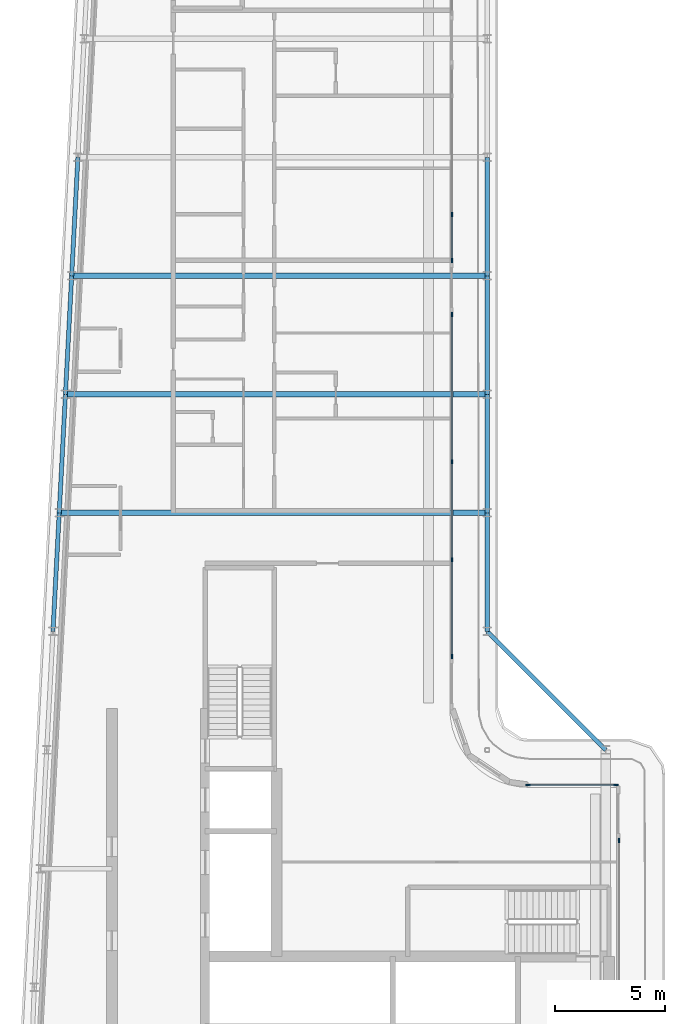
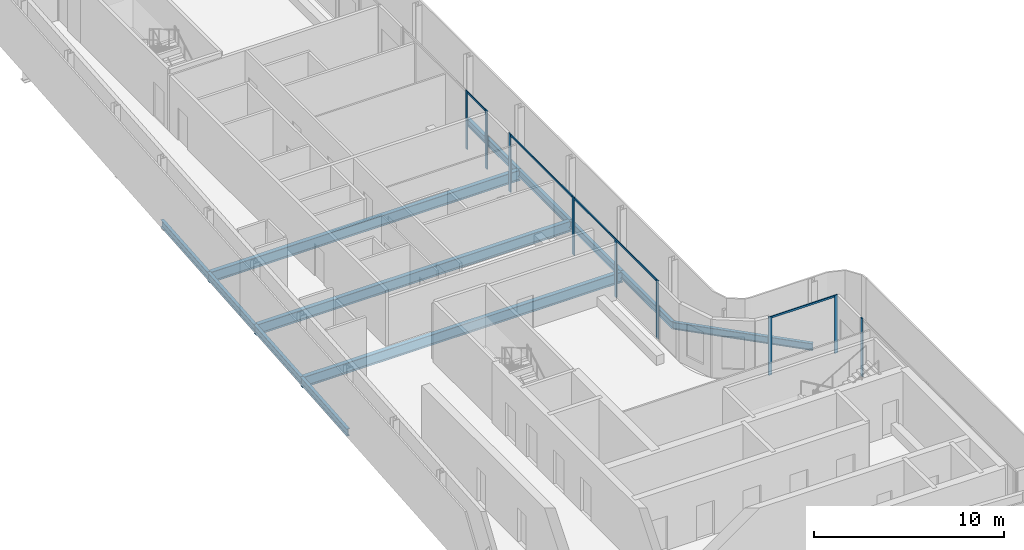
# One storey, part 5 of 19: 13 members, 12 beams, 6 elements without a shape of their own.
"""IFC4 building model written with IfcOpenShell, lengths in metres."""

from ifc_helpers import new_model, si_unit, direction, frame, origin, origin_2d, place, context, subcontext, project, spatial, rectangle, i_section, extrude, material, layer, layer_set, material_profile, profile_set, type_object, element, aggregate, save


model = new_model("IFC4")

# Units and contexts
model_context = context("Model", 3, precision=1e-05, world=origin(), true_north=direction((0.0, 1.0)))
body_context = subcontext(model_context, "Body", "Model", "MODEL_VIEW")
ifc_project = project(units=[si_unit("LENGTHUNIT", "METRE"), si_unit("AREAUNIT", "SQUARE_METRE"), si_unit("VOLUMEUNIT", "CUBIC_METRE"), si_unit("PLANEANGLEUNIT", "RADIAN"), si_unit("MASSUNIT", "GRAM", prefix="KILO")], contexts=[model_context])

# Site, building, storey
site_placement = place(None, origin())
site = spatial("IfcSite", under=ifc_project, at=site_placement, CompositionType="ELEMENT")
building_placement = place(site_placement, origin())
building = spatial("IfcBuilding", under=site, at=building_placement, Name="Kheshtan School and Residences Tower", CompositionType="ELEMENT")
storey_placement = place(building_placement, frame((0.0, 0.0, 350.0)))
storey = spatial("IfcBuildingStorey", under=building, at=storey_placement, Name="L82", CompositionType="ELEMENT", Elevation=350.0)

# Beams
ifc_material_1 = material(Name="Steel ASTM A992 Grade 50", Category="steel")
ifc_material_profile_1 = material_profile(ifc_material_1, i_section(OverallWidth=0.2529296875, OverallDepth=0.677978515625, WebThickness=0.01171875, FlangeThickness=0.016357421875, FilletRadius=0.0146484375, at=origin_2d()), Name="W690x125")
ifc_profile_set_1 = profile_set([ifc_material_profile_1], Name="Steel ASTM A992 Grade 50")
beam_type_1 = type_object("IfcBeamType", Name="Beam FB6 W690x125 ASTM A992 Grade 50", PredefinedType="BEAM", material=ifc_profile_set_1)
beam_1_placement = place(storey_placement, frame((47.60009765625, 67.199951171875, -0.489013671875), z_axis=(-1.0, 0.0, 0.0), x_axis=(0.0, -1.0, 0.0)))
element("IfcBeam", 1, at=beam_1_placement, inside=storey, type_object=beam_type_1, Name="Floor beam C085", PredefinedType="BEAM", context=body_context, shape_type="SweptSolid", body=[
    extrude(i_section(OverallWidth=0.2529296875, OverallDepth=0.677978515625, WebThickness=0.01171875, FlangeThickness=0.016357421875, FilletRadius=0.0146484375, at=origin_2d()), origin(), (0.0, 0.0, 1.0), 18.926025390625),
])
beam_2_placement = place(storey_placement, frame((47.60009765625, 56.39990234375, -0.489013671875), z_axis=(-1.0, 0.0, 0.0), x_axis=(0.0, -1.0, 0.0)))
element("IfcBeam", 2, at=beam_2_placement, inside=storey, type_object=beam_type_1, Name="Floor beam C081", PredefinedType="BEAM", context=body_context, shape_type="SweptSolid", body=[
    extrude(i_section(OverallWidth=0.2529296875, OverallDepth=0.677978515625, WebThickness=0.01171875, FlangeThickness=0.016357421875, FilletRadius=0.0146484375, at=origin_2d()), origin(), (0.0, 0.0, 1.0), 19.494140625),
])
beam_3_placement = place(storey_placement, frame((28.389892578125, 61.800048828125, -0.489013671875), z_axis=(1.0, 0.0, 0.0), x_axis=(0.0, 1.0, 0.0)))
element("IfcBeam", 3, at=beam_3_placement, inside=storey, type_object=beam_type_1, Name="Floor beam C082", PredefinedType="BEAM", context=body_context, shape_type="SweptSolid", body=[
    extrude(i_section(OverallWidth=0.2529296875, OverallDepth=0.677978515625, WebThickness=0.01171875, FlangeThickness=0.016357421875, FilletRadius=0.0146484375, at=origin_2d()), origin(), (0.0, 0.0, 1.0), 19.210205078125),
])
ifc_material_profile_2 = material_profile(ifc_material_1, i_section(OverallWidth=0.18994140625, OverallDepth=0.45703125, WebThickness=0.009033203125, FlangeThickness=0.014404296875, FilletRadius=0.01318359375, at=origin_2d()), Name="W460x74")
ifc_profile_set_2 = profile_set([ifc_material_profile_2], Name="Steel ASTM A992 Grade 50")
beam_type_2 = type_object("IfcBeamType", Name="Beam SP4 W460x74 ASTM A992 Grade 50", PredefinedType="BEAM", material=ifc_profile_set_2)
beam_4_placement = place(storey_placement, frame((47.60009765625, 72.60009765625, -0.37841796875), z_axis=(0.0, -1.0, 0.0), x_axis=(1.0, 0.0, 0.0)))
element("IfcBeam", 4, at=beam_4_placement, inside=storey, type_object=beam_type_2, Name="Spandrel beam C087-C085", PredefinedType="BEAM", context=body_context, shape_type="SweptSolid", body=[
    extrude(i_section(OverallWidth=0.18994140625, OverallDepth=0.45703125, WebThickness=0.009033203125, FlangeThickness=0.014404296875, FilletRadius=0.01318359375, at=origin_2d()), origin(), (0.0, 0.0, 1.0), 5.400146484375),
])
beam_5_placement = place(storey_placement, frame((47.60009765625, 67.199951171875, -0.37841796875), z_axis=(0.0, -1.0, 0.0), x_axis=(1.0, 0.0, 0.0)))
element("IfcBeam", 5, at=beam_5_placement, inside=storey, type_object=beam_type_2, Name="Spandrel beam C085-C083", PredefinedType="BEAM", context=body_context, shape_type="SweptSolid", body=[
    extrude(i_section(OverallWidth=0.18994140625, OverallDepth=0.45703125, WebThickness=0.009033203125, FlangeThickness=0.014404296875, FilletRadius=0.01318359375, at=origin_2d()), origin(), (0.0, 0.0, 1.0), 5.39990234375),
])
beam_6_placement = place(storey_placement, frame((47.60009765625, 61.800048828125, -0.37841796875), z_axis=(0.0, -1.0, 0.0), x_axis=(1.0, 0.0, 0.0)))
element("IfcBeam", 6, at=beam_6_placement, inside=storey, type_object=beam_type_2, Name="Spandrel beam C083-C081", PredefinedType="BEAM", context=body_context, shape_type="SweptSolid", body=[
    extrude(i_section(OverallWidth=0.18994140625, OverallDepth=0.45703125, WebThickness=0.009033203125, FlangeThickness=0.014404296875, FilletRadius=0.01318359375, at=origin_2d()), origin(), (0.0, 0.0, 1.0), 5.400146484375),
])
beam_7_placement = place(storey_placement, frame((47.60009765625, 56.39990234375, -0.37841796875), z_axis=(0.0, -1.0, 0.0), x_axis=(1.0, 0.0, 0.0)))
element("IfcBeam", 7, at=beam_7_placement, inside=storey, type_object=beam_type_2, Name="Spandrel beam C081-C079", PredefinedType="BEAM", context=body_context, shape_type="SweptSolid", body=[
    extrude(i_section(OverallWidth=0.18994140625, OverallDepth=0.45703125, WebThickness=0.009033203125, FlangeThickness=0.014404296875, FilletRadius=0.01318359375, at=origin_2d()), origin(), (0.0, 0.0, 1.0), 5.39990234375),
])
beam_8_placement = place(storey_placement, frame((47.60009765625, 51.0, -0.37841796875), z_axis=(0.707106781187, -0.707106781187, 0.0), x_axis=(0.707106781187, 0.707106781187, 0.0)))
element("IfcBeam", 8, at=beam_8_placement, inside=storey, type_object=beam_type_2, Name="Spandrel beam C079-C061", PredefinedType="BEAM", context=body_context, shape_type="SweptSolid", body=[
    extrude(i_section(OverallWidth=0.18994140625, OverallDepth=0.45703125, WebThickness=0.009033203125, FlangeThickness=0.014404296875, FilletRadius=0.01318359375, at=origin_2d()), origin(), (0.0, 0.0, 1.0), 7.63671875),
])
beam_9_placement = place(storey_placement, frame((27.822021484375, 51.0, -0.37841796875), z_axis=(0.05250906864, 0.998620447272, 0.0), x_axis=(-0.998620447272, 0.05250906864, 0.0)))
element("IfcBeam", 9, at=beam_9_placement, inside=storey, type_object=beam_type_2, Name="Spandrel beam C078-C080", PredefinedType="BEAM", context=body_context, shape_type="SweptSolid", body=[
    extrude(i_section(OverallWidth=0.18994140625, OverallDepth=0.45703125, WebThickness=0.009033203125, FlangeThickness=0.014404296875, FilletRadius=0.01318359375, at=origin_2d()), origin(), (0.0, 0.0, 1.0), 5.407470703125),
])
beam_10_placement = place(storey_placement, frame((28.10595703125, 56.39990234375, -0.37841796875), z_axis=(0.05250670125, 0.998620571751, 0.0), x_axis=(-0.998620571751, 0.05250670125, 0.0)))
element("IfcBeam", 10, at=beam_10_placement, inside=storey, type_object=beam_type_2, Name="Spandrel beam C080-C082", PredefinedType="BEAM", context=body_context, shape_type="SweptSolid", body=[
    extrude(i_section(OverallWidth=0.18994140625, OverallDepth=0.45703125, WebThickness=0.009033203125, FlangeThickness=0.014404296875, FilletRadius=0.01318359375, at=origin_2d()), origin(), (0.0, 0.0, 1.0), 5.40771484375),
])
beam_11_placement = place(storey_placement, frame((28.389892578125, 61.800048828125, -0.37841796875), z_axis=(0.052554093665, 0.998618078766, 0.0), x_axis=(-0.998618078766, 0.052554093665, 0.0)))
element("IfcBeam", 11, at=beam_11_placement, inside=storey, type_object=beam_type_2, Name="Spandrel beam C082-C084", PredefinedType="BEAM", context=body_context, shape_type="SweptSolid", body=[
    extrude(i_section(OverallWidth=0.18994140625, OverallDepth=0.45703125, WebThickness=0.009033203125, FlangeThickness=0.014404296875, FilletRadius=0.01318359375, at=origin_2d()), origin(), (0.0, 0.0, 1.0), 5.407470703125),
])
beam_12_placement = place(storey_placement, frame((28.674072265625, 67.199951171875, -0.37841796875), z_axis=(0.05250670125, 0.998620571751, 0.0), x_axis=(-0.998620571751, 0.05250670125, 0.0)))
element("IfcBeam", 12, at=beam_12_placement, inside=storey, type_object=beam_type_2, Name="Spandrel beam C084-C086", PredefinedType="BEAM", context=body_context, shape_type="SweptSolid", body=[
    extrude(i_section(OverallWidth=0.18994140625, OverallDepth=0.45703125, WebThickness=0.009033203125, FlangeThickness=0.014404296875, FilletRadius=0.01318359375, at=origin_2d()), origin(), (0.0, 0.0, 1.0), 5.40771484375),
])

# Curtain wall, members
ifc_material_2 = material(Name="Clear low-e glass in thermally broken aluminium frame", Category="aluminium")
ifc_layer_1 = layer(ifc_material_2, 0.199951171875)
ifc_layer_set_1 = layer_set([ifc_layer_1], Name="Curtain wall CW-B")
curtain_wall_type_1 = type_object("IfcCurtainWallType", Name="Curtain wall CW-B", PredefinedType="NOTDEFINED", material=ifc_layer_set_1)
curtain_wall_1_placement = place(storey_placement, origin())
curtain_wall_1 = element("IfcCurtainWall", 13, at=curtain_wall_1_placement, inside=storey, type_object=curtain_wall_type_1, Name="Curtain wall CWB8", PredefinedType="NOTDEFINED")
ifc_material_3 = material(Name="Thermally broken aluminium, dark bronze anodised", Category="aluminium")
ifc_material_profile_3 = material_profile(ifc_material_3, rectangle(XDim=0.06005859375, YDim=0.199951171875, at=origin_2d()), Name="CW-B mullion 60x200")
ifc_profile_set_3 = profile_set([ifc_material_profile_3], Name="Thermally broken aluminium, dark bronze anodised")
member_type_1 = type_object("IfcMemberType", Name="CW-B mullion 60x200", PredefinedType="MULLION", material=ifc_profile_set_3)
member_1_placement = place(storey_placement, frame((49.4599609375, 44.0, 0.0), z_axis=(0.0, 0.0, 1.0), x_axis=(0.0, 1.0, 0.0)))
member_1 = element("IfcMember", 14, at=member_1_placement, type_object=member_type_1, Name="CWB8 mullion 1", PredefinedType="MULLION", context=body_context, shape_type="SweptSolid", body=[
    extrude(rectangle(XDim=0.06005859375, YDim=0.199951171875, at=origin_2d()), origin(), (0.0, 0.0, 1.0), 3.75),
])
member_2_placement = place(storey_placement, frame((53.469970703125, 44.0, 0.0), z_axis=(0.0, 0.0, 1.0), x_axis=(0.0, 1.0, 0.0)))
member_2 = element("IfcMember", 15, at=member_2_placement, type_object=member_type_1, Name="CWB8 mullion 2", PredefinedType="MULLION", context=body_context, shape_type="SweptSolid", body=[
    extrude(rectangle(XDim=0.06005859375, YDim=0.199951171875, at=origin_2d()), origin(), (0.0, 0.0, 1.0), 3.75),
])
ifc_material_profile_4 = material_profile(ifc_material_3, rectangle(XDim=0.06005859375, YDim=0.1201171875, at=origin_2d()), Name="CW-B transom 60x120")
ifc_profile_set_4 = profile_set([ifc_material_profile_4], Name="Thermally broken aluminium, dark bronze anodised")
member_type_2 = type_object("IfcMemberType", Name="CW-B transom 60x120", PredefinedType="USERDEFINED", material=ifc_profile_set_4)
member_3_placement = place(storey_placement, frame((49.489990234375, 44.0, 3.68994140625), z_axis=(1.0, 0.0, 0.0), x_axis=(0.0, 1.0, 0.0)))
member_3 = element("IfcMember", 16, at=member_3_placement, type_object=member_type_2, Name="CWB8 transom 1", ObjectType="TRANSOM", PredefinedType="USERDEFINED", context=body_context, shape_type="SweptSolid", body=[
    extrude(rectangle(XDim=0.06005859375, YDim=0.1201171875, at=origin_2d()), origin(), (0.0, 0.0, 1.0), 3.949951171875),
])
aggregate(curtain_wall_1, [member_1, member_2, member_3])

# Curtain wall, member
ifc_layer_2 = layer(ifc_material_2, 0.199951171875)
ifc_layer_set_2 = layer_set([ifc_layer_2], Name="Curtain wall CW-L")
curtain_wall_type_2 = type_object("IfcCurtainWallType", Name="Curtain wall CW-L", PredefinedType="NOTDEFINED", material=ifc_layer_set_2)
curtain_wall_2_placement = place(storey_placement, origin())
curtain_wall_2 = element("IfcCurtainWall", 17, at=curtain_wall_2_placement, inside=storey, type_object=curtain_wall_type_2, Name="Curtain wall CWL4l", PredefinedType="NOTDEFINED")
ifc_material_profile_5 = material_profile(ifc_material_3, rectangle(XDim=0.06005859375, YDim=0.199951171875, at=origin_2d()), Name="CW-L mullion 60x200")
ifc_profile_set_5 = profile_set([ifc_material_profile_5], Name="Thermally broken aluminium, dark bronze anodised")
member_type_3 = type_object("IfcMemberType", Name="CW-L mullion 60x200", PredefinedType="MULLION", material=ifc_profile_set_5)
member_4_placement = place(storey_placement, frame((46.0, 69.9951171875, 0.0), z_axis=(0.0, 0.0, 1.0), x_axis=(1.0, 0.0, 0.0)))
member_4 = element("IfcMember", 18, at=member_4_placement, type_object=member_type_3, Name="CWL4l mullion 3", PredefinedType="MULLION", context=body_context, shape_type="SweptSolid", body=[
    extrude(rectangle(XDim=0.06005859375, YDim=0.199951171875, at=origin_2d()), origin(), (0.0, 0.0, 1.0), 3.75),
])
aggregate(curtain_wall_2, [member_4])

curtain_wall_3_placement = place(storey_placement, origin())
curtain_wall_3 = element("IfcCurtainWall", 19, at=curtain_wall_3_placement, inside=storey, type_object=curtain_wall_type_2, Name="Curtain wall CWL4c", PredefinedType="NOTDEFINED")
member_5_placement = place(storey_placement, frame((46.0, 67.89501953125, 0.0), z_axis=(0.0, 0.0, 1.0), x_axis=(1.0, 0.0, 0.0)))
member_5 = element("IfcMember", 20, at=member_5_placement, type_object=member_type_3, Name="CWL4c mullion 2", PredefinedType="MULLION", context=body_context, shape_type="SweptSolid", body=[
    extrude(rectangle(XDim=0.06005859375, YDim=0.199951171875, at=origin_2d()), origin(), (0.0, 0.0, 1.0), 3.75),
])

# Curtain wall, members
curtain_wall_4_placement = place(storey_placement, origin())
curtain_wall_4 = element("IfcCurtainWall", 21, at=curtain_wall_4_placement, inside=storey, type_object=curtain_wall_type_2, Name="Curtain wall CWL4m", PredefinedType="NOTDEFINED")
member_6_placement = place(storey_placement, frame((46.0, 65.43505859375, 0.0), z_axis=(0.0, 0.0, 1.0), x_axis=(1.0, 0.0, 0.0)))
member_6 = element("IfcMember", 22, at=member_6_placement, type_object=member_type_3, Name="CWL4m mullion 1", PredefinedType="MULLION", context=body_context, shape_type="SweptSolid", body=[
    extrude(rectangle(XDim=0.06005859375, YDim=0.199951171875, at=origin_2d()), origin(), (0.0, 0.0, 1.0), 3.75),
])
member_7_placement = place(storey_placement, frame((46.0, 58.7275390625, 0.0), z_axis=(0.0, 0.0, 1.0), x_axis=(1.0, 0.0, 0.0)))
member_7 = element("IfcMember", 23, at=member_7_placement, type_object=member_type_3, Name="CWL4m mullion 2", PredefinedType="MULLION", context=body_context, shape_type="SweptSolid", body=[
    extrude(rectangle(XDim=0.06005859375, YDim=0.199951171875, at=origin_2d()), origin(), (0.0, 0.0, 1.0), 3.75),
])

curtain_wall_5_placement = place(storey_placement, origin())
curtain_wall_5 = element("IfcCurtainWall", 24, at=curtain_wall_5_placement, inside=storey, type_object=curtain_wall_type_2, Name="Curtain wall CWL4b", PredefinedType="NOTDEFINED")
member_8_placement = place(storey_placement, frame((46.0, 54.263671875, 0.0), z_axis=(0.0, 0.0, 1.0), x_axis=(1.0, 0.0, 0.0)))
member_8 = element("IfcMember", 25, at=member_8_placement, type_object=member_type_3, Name="CWL4b mullion 2", PredefinedType="MULLION", context=body_context, shape_type="SweptSolid", body=[
    extrude(rectangle(XDim=0.06005859375, YDim=0.199951171875, at=origin_2d()), origin(), (0.0, 0.0, 1.0), 3.6298828125),
])
member_9_placement = place(storey_placement, frame((46.0, 49.860107421875, 0.0), z_axis=(0.0, 0.0, 1.0), x_axis=(1.0, 0.0, 0.0)))
member_9 = element("IfcMember", 26, at=member_9_placement, type_object=member_type_3, Name="CWL4b mullion 3", PredefinedType="MULLION", context=body_context, shape_type="SweptSolid", body=[
    extrude(rectangle(XDim=0.06005859375, YDim=0.199951171875, at=origin_2d()), origin(), (0.0, 0.0, 1.0), 3.75),
])

# Curtain wall, member
curtain_wall_6_placement = place(storey_placement, origin())
curtain_wall_6 = element("IfcCurtainWall", 27, at=curtain_wall_6_placement, inside=storey, type_object=curtain_wall_type_2, Name="Curtain wall CWL9e", PredefinedType="NOTDEFINED")
member_10_placement = place(storey_placement, frame((53.60009765625, 41.469970703125, 0.0), z_axis=(0.0, 0.0, 1.0), x_axis=(1.0, 0.0, 0.0)))
member_10 = element("IfcMember", 28, at=member_10_placement, type_object=member_type_3, Name="CWL9e mullion 1", PredefinedType="MULLION", context=body_context, shape_type="SweptSolid", body=[
    extrude(rectangle(XDim=0.06005859375, YDim=0.199951171875, at=origin_2d()), origin(), (0.0, 0.0, 1.0), 3.75),
])
aggregate(curtain_wall_6, [member_10])

# Member
ifc_material_profile_6 = material_profile(ifc_material_3, rectangle(XDim=0.06005859375, YDim=0.1201171875, at=origin_2d()), Name="CW-L transom 60x120")
ifc_profile_set_6 = profile_set([ifc_material_profile_6], Name="Thermally broken aluminium, dark bronze anodised")
member_type_4 = type_object("IfcMemberType", Name="CW-L transom 60x120", PredefinedType="USERDEFINED", material=ifc_profile_set_6)
member_11_placement = place(storey_placement, frame((46.0, 69.965087890625, 3.68994140625), z_axis=(0.0, -1.0, 0.0), x_axis=(1.0, 0.0, 0.0)))
member_11 = element("IfcMember", 29, at=member_11_placement, type_object=member_type_4, Name="CWL4c transom 1", ObjectType="TRANSOM", PredefinedType="USERDEFINED", context=body_context, shape_type="SweptSolid", body=[
    extrude(rectangle(XDim=0.06005859375, YDim=0.1201171875, at=origin_2d()), origin(), (0.0, 0.0, 1.0), 2.0400390625),
])

aggregate(curtain_wall_3, [member_5, member_11])

member_12_placement = place(storey_placement, frame((46.0, 65.405029296875, 3.68994140625), z_axis=(0.0, -1.0, 0.0), x_axis=(1.0, 0.0, 0.0)))
member_12 = element("IfcMember", 30, at=member_12_placement, type_object=member_type_4, Name="CWL4m transom 1", ObjectType="TRANSOM", PredefinedType="USERDEFINED", context=body_context, shape_type="SweptSolid", body=[
    extrude(rectangle(XDim=0.06005859375, YDim=0.1201171875, at=origin_2d()), origin(), (0.0, 0.0, 1.0), 6.6474609375),
])

aggregate(curtain_wall_4, [member_6, member_7, member_12])

member_13_placement = place(storey_placement, frame((46.0, 58.697509765625, 3.68994140625), z_axis=(0.0, -1.0, 0.0), x_axis=(1.0, 0.0, 0.0)))
member_13 = element("IfcMember", 31, at=member_13_placement, type_object=member_type_4, Name="CWL4b transom 1", ObjectType="TRANSOM", PredefinedType="USERDEFINED", context=body_context, shape_type="SweptSolid", body=[
    extrude(rectangle(XDim=0.06005859375, YDim=0.1201171875, at=origin_2d()), origin(), (0.0, 0.0, 1.0), 8.8076171875),
])

aggregate(curtain_wall_5, [member_8, member_9, member_13])

save(model, "model.ifc")
